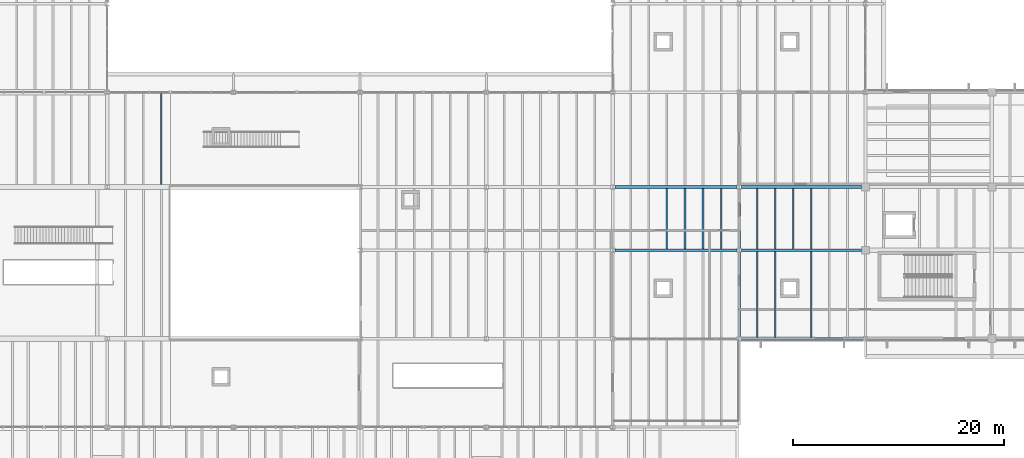
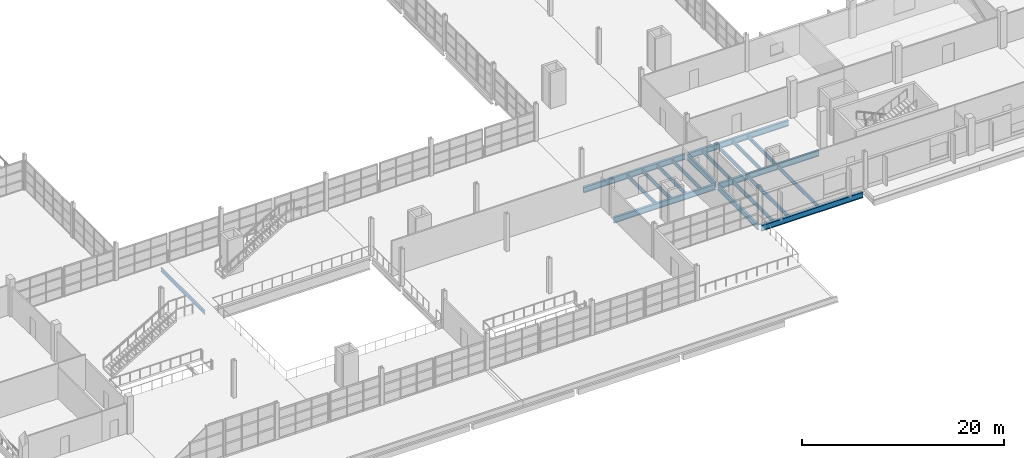
# One storey, part 41 of 114: 19 beams.
"""IFC4 building model written with IfcOpenShell, lengths in metres."""

from ifc_helpers import new_model, si_unit, direction, frame, origin, origin_2d, place, context, subcontext, project, spatial, i_section, extrude, material, material_profile, profile_set, type_object, element, save


model = new_model("IFC4")

# Units and contexts
model_context = context("Model", 3, precision=1e-05, world=origin(), true_north=direction((0.0, 1.0)))
body_context = subcontext(model_context, "Body", "Model", "MODEL_VIEW")
ifc_project = project(units=[si_unit("LENGTHUNIT", "METRE"), si_unit("AREAUNIT", "SQUARE_METRE"), si_unit("VOLUMEUNIT", "CUBIC_METRE"), si_unit("PLANEANGLEUNIT", "RADIAN"), si_unit("MASSUNIT", "GRAM", prefix="KILO")], contexts=[model_context])

# Site, building, storey
site_placement = place(None, origin())
site = spatial("IfcSite", under=ifc_project, at=site_placement, CompositionType="ELEMENT")
building_placement = place(site_placement, origin())
building = spatial("IfcBuilding", under=site, at=building_placement, Name="Kelmvaro Bay Concert Hall", CompositionType="ELEMENT")
storey_placement = place(building_placement, frame((0.0, 0.0, 4.800048828125)))
storey = spatial("IfcBuildingStorey", under=building, at=storey_placement, Name="L01", CompositionType="ELEMENT", Elevation=4.800048828125)

# Beams
ifc_material_1 = material(Name="Steel ASTM A992 Grade 50", Category="steel")
ifc_material_profile_1 = material_profile(ifc_material_1, i_section(OverallWidth=0.152099609375, OverallDepth=0.455078125, WebThickness=0.008056640625, FlangeThickness=0.01318359375, at=origin_2d()), Name="W18X40")
ifc_profile_set_1 = profile_set([ifc_material_profile_1], Name="Steel ASTM A992 Grade 50")
beam_type_1 = type_object("IfcBeamType", Name="Foyer Concourse Floor Joist W18x40", PredefinedType="JOIST", material=ifc_profile_set_1)
for number, where, z_axis, x_axis, name in (
    (1, (121.71435546875, 15.72802734375, -0.547607421875), (0.0, 1.0, 0.0), (-1.0, 0.0, 0.0), "L01 Floor Joist JST-L01-0312"),
    (2, (123.4287109375, 15.72802734375, -0.547607421875), (0.0, 1.0, 0.0), (-1.0, 0.0, 0.0), "L01 Floor Joist JST-L01-0313"),
    (3, (126.857177734375, 15.72802734375, -0.547607421875), (0.0, 1.0, 0.0), (-1.0, 0.0, 0.0), "L01 Floor Joist JST-L01-0314"),
):
    element("IfcBeam", number, at=place(storey_placement, frame(where, z_axis=z_axis, x_axis=x_axis)), inside=storey, type_object=beam_type_1, Name=name, PredefinedType="JOIST", context=body_context, shape_type="SweptSolid", body=[
        extrude(i_section(OverallWidth=0.152099609375, OverallDepth=0.455078125, WebThickness=0.008056640625, FlangeThickness=0.01318359375, at=origin_2d()), origin(), (0.0, 0.0, 1.0), 8.14404296875),
    ])
for number, where, z_axis, x_axis, name in (
    (4, (113.142822265625, 24.1279296875, -0.4775390625), (0.0, 1.0, 0.0), (-1.0, 0.0, 0.0), "L01 Floor Joist JST-L01-0341"),
    (5, (114.857177734375, 24.1279296875, -0.4775390625), (0.0, 1.0, 0.0), (-1.0, 0.0, 0.0), "L01 Floor Joist JST-L01-0342"),
    (6, (116.5712890625, 24.1279296875, -0.4775390625), (0.0, 1.0, 0.0), (-1.0, 0.0, 0.0), "L01 Floor Joist JST-L01-0343"),
    (7, (118.28564453125, 24.1279296875, -0.4775390625), (0.0, 1.0, 0.0), (-1.0, 0.0, 0.0), "L01 Floor Joist JST-L01-0344"),
    (8, (121.71435546875, 24.1279296875, -0.547607421875), (0.0, 1.0, 0.0), (-1.0, 0.0, 0.0), "L01 Floor Joist JST-L01-0345"),
    (9, (123.4287109375, 24.1279296875, -0.547607421875), (0.0, 1.0, 0.0), (-1.0, 0.0, 0.0), "L01 Floor Joist JST-L01-0346"),
    (10, (125.142822265625, 24.1279296875, -0.547607421875), (0.0, 1.0, 0.0), (-1.0, 0.0, 0.0), "L01 Floor Joist JST-L01-0347"),
    (11, (126.857177734375, 24.1279296875, -0.547607421875), (0.0, 1.0, 0.0), (-1.0, 0.0, 0.0), "L01 Floor Joist JST-L01-0348"),
):
    element("IfcBeam", number, at=place(storey_placement, frame(where, z_axis=z_axis, x_axis=x_axis)), inside=storey, type_object=beam_type_1, Name=name, PredefinedType="JOIST", context=body_context, shape_type="SweptSolid", body=[
        extrude(i_section(OverallWidth=0.152099609375, OverallDepth=0.455078125, WebThickness=0.008056640625, FlangeThickness=0.01318359375, at=origin_2d()), origin(), (0.0, 0.0, 1.0), 5.744140625),
    ])
beam_1_placement = place(storey_placement, frame((65.142822265625, 30.22509765625, -0.4775390625), z_axis=(0.0, 1.0, 0.0), x_axis=(-1.0, 0.0, 0.0)))
element("IfcBeam", 12, at=beam_1_placement, inside=storey, type_object=beam_type_1, Name="L01 Floor Joist JST-L01-0385", PredefinedType="JOIST", context=body_context, shape_type="SweptSolid", body=[
    extrude(i_section(OverallWidth=0.152099609375, OverallDepth=0.455078125, WebThickness=0.008056640625, FlangeThickness=0.01318359375, at=origin_2d()), origin(), (0.0, 0.0, 1.0), 8.64697265625),
])
ifc_material_2 = material(Name="Steel ASTM A992 Grade 50", Category="steel")
ifc_material_profile_2 = material_profile(ifc_material_2, i_section(OverallWidth=0.256103515625, OverallDepth=0.693115234375, WebThickness=0.014404296875, FlangeThickness=0.023681640625, at=origin_2d()), Name="W27X114")
ifc_profile_set_2 = profile_set([ifc_material_profile_2], Name="Steel ASTM A992 Grade 50")
beam_type_2 = type_object("IfcBeamType", Name="Foyer Primary Girder W27x114", PredefinedType="BEAM", material=ifc_profile_set_2)
beam_2_placement = place(storey_placement, frame((120.200439453125, 15.60009765625, -0.66650390625), z_axis=(1.0, 0.0, 0.0), x_axis=(0.0, 1.0, 0.0)))
element("IfcBeam", 13, at=beam_2_placement, inside=storey, type_object=beam_type_2, Name="L01 Girder BM-L01-EW-0024", PredefinedType="BEAM", context=body_context, shape_type="SweptSolid", body=[
    extrude(i_section(OverallWidth=0.256103515625, OverallDepth=0.693115234375, WebThickness=0.014404296875, FlangeThickness=0.023681640625, at=origin_2d()), origin(), (0.0, 0.0, 1.0), 11.59912109375),
])
beam_3_placement = place(storey_placement, frame((108.197998046875, 24.0, -0.596435546875), z_axis=(1.0, 0.0, 0.0), x_axis=(0.0, 1.0, 0.0)))
element("IfcBeam", 14, at=beam_3_placement, inside=storey, type_object=beam_type_2, Name="L01 Girder BM-L01-EW-0030", PredefinedType="BEAM", context=body_context, shape_type="SweptSolid", body=[
    extrude(i_section(OverallWidth=0.256103515625, OverallDepth=0.693115234375, WebThickness=0.014404296875, FlangeThickness=0.023681640625, at=origin_2d()), origin(), (0.0, 0.0, 1.0), 11.6015625),
])
beam_4_placement = place(storey_placement, frame((120.200439453125, 24.0, -0.66650390625), z_axis=(1.0, 0.0, 0.0), x_axis=(0.0, 1.0, 0.0)))
element("IfcBeam", 15, at=beam_4_placement, inside=storey, type_object=beam_type_2, Name="L01 Girder BM-L01-EW-0031", PredefinedType="BEAM", context=body_context, shape_type="SweptSolid", body=[
    extrude(i_section(OverallWidth=0.256103515625, OverallDepth=0.693115234375, WebThickness=0.014404296875, FlangeThickness=0.023681640625, at=origin_2d()), origin(), (0.0, 0.0, 1.0), 11.424560546875),
])
beam_5_placement = place(storey_placement, frame((108.197998046875, 30.0, -0.596435546875), z_axis=(1.0, 0.0, 0.0), x_axis=(0.0, 1.0, 0.0)))
element("IfcBeam", 16, at=beam_5_placement, inside=storey, type_object=beam_type_2, Name="L01 Girder BM-L01-EW-0040", PredefinedType="BEAM", context=body_context, shape_type="SweptSolid", body=[
    extrude(i_section(OverallWidth=0.256103515625, OverallDepth=0.693115234375, WebThickness=0.014404296875, FlangeThickness=0.023681640625, at=origin_2d()), origin(), (0.0, 0.0, 1.0), 11.6015625),
])
beam_6_placement = place(storey_placement, frame((120.200439453125, 30.0, -0.66650390625), z_axis=(1.0, 0.0, 0.0), x_axis=(0.0, 1.0, 0.0)))
element("IfcBeam", 17, at=beam_6_placement, inside=storey, type_object=beam_type_2, Name="L01 Girder BM-L01-EW-0041", PredefinedType="BEAM", context=body_context, shape_type="SweptSolid", body=[
    extrude(i_section(OverallWidth=0.256103515625, OverallDepth=0.693115234375, WebThickness=0.014404296875, FlangeThickness=0.023681640625, at=origin_2d()), origin(), (0.0, 0.0, 1.0), 11.424560546875),
])
ifc_material_3 = material(Name="Steel ASTM A992 Grade 50", Category="steel")
ifc_material_profile_3 = material_profile(ifc_material_3, i_section(OverallWidth=0.22900390625, OverallDepth=0.612060546875, WebThickness=0.011962890625, FlangeThickness=0.01953125, at=origin_2d()), Name="W24X84")
ifc_profile_set_3 = profile_set([ifc_material_profile_3], Name="Steel ASTM A992 Grade 50")
beam_type_3 = type_object("IfcBeamType", Name="Terrace Edge Girder W24x84", PredefinedType="BEAM", material=ifc_profile_set_3)
beam_7_placement = place(storey_placement, frame((120.0, 15.799560546875, -0.6259765625), z_axis=(0.0, 1.0, 0.0), x_axis=(-1.0, 0.0, 0.0)))
element("IfcBeam", 18, at=beam_7_placement, inside=storey, type_object=beam_type_3, Name="L01 Girder BM-L01-NS-0183", PredefinedType="BEAM", context=body_context, shape_type="SweptSolid", body=[
    extrude(i_section(OverallWidth=0.22900390625, OverallDepth=0.612060546875, WebThickness=0.011962890625, FlangeThickness=0.01953125, at=origin_2d()), origin(), (0.0, 0.0, 1.0), 8.00341796875),
])
beam_8_placement = place(storey_placement, frame((120.0, 24.197021484375, -0.6259765625), z_axis=(0.0, 1.0, 0.0), x_axis=(-1.0, 0.0, 0.0)))
element("IfcBeam", 19, at=beam_8_placement, inside=storey, type_object=beam_type_3, Name="L01 Girder BM-L01-NS-0184", PredefinedType="BEAM", context=body_context, shape_type="SweptSolid", body=[
    extrude(i_section(OverallWidth=0.22900390625, OverallDepth=0.612060546875, WebThickness=0.011962890625, FlangeThickness=0.01953125, at=origin_2d()), origin(), (0.0, 0.0, 1.0), 5.60595703125),
])

save(model, "model.ifc")
